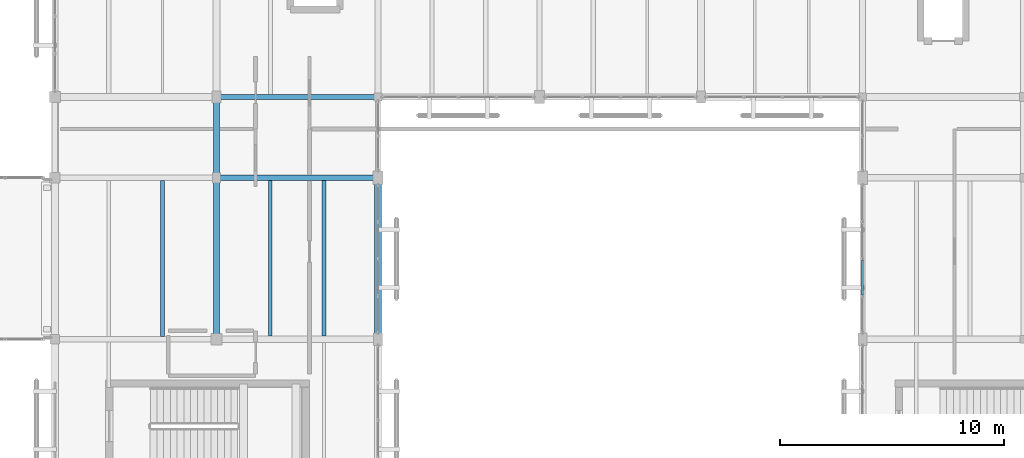
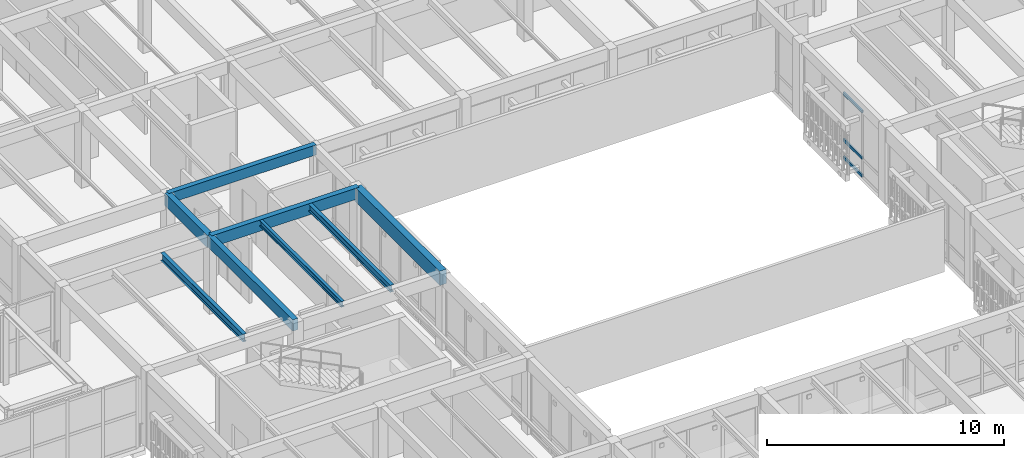
# One storey, part 150 of 217: 8 beams, 3 members, 1 element without a shape of its own.
"""IFC4 building model written with IfcOpenShell, lengths in metres."""

from ifc_helpers import new_model, si_unit, direction, frame, origin, origin_2d, place, context, subcontext, project, spatial, rectangle, hollow_rectangle, i_section, extrude, material, layer, layer_set, material_profile, profile_set, type_object, element, aggregate, save


model = new_model("IFC4")

# Units and contexts
model_context = context("Model", 3, precision=1e-05, world=origin(), true_north=direction((0.0, 1.0)))
body_context = subcontext(model_context, "Body", "Model", "MODEL_VIEW")
ifc_project = project(units=[si_unit("LENGTHUNIT", "METRE"), si_unit("AREAUNIT", "SQUARE_METRE"), si_unit("VOLUMEUNIT", "CUBIC_METRE"), si_unit("PLANEANGLEUNIT", "RADIAN"), si_unit("MASSUNIT", "GRAM", prefix="KILO")], contexts=[model_context])

# Site, building, storey
site_placement = place(None, origin())
site = spatial("IfcSite", under=ifc_project, at=site_placement, CompositionType="ELEMENT")
building_placement = place(site_placement, origin())
building = spatial("IfcBuilding", under=site, at=building_placement, Name="Mazaris Harbour Polytechnic", CompositionType="ELEMENT")
storey_placement = place(building_placement, frame((0.0, 0.0, 9.60009765625)))
storey = spatial("IfcBuildingStorey", under=building, at=storey_placement, Name="L02", CompositionType="ELEMENT", Elevation=9.60009765625)

# Curtain wall, members
ifc_material_1 = material(Name="Anodised Bronze Aluminium and Low-E Glass", Category="aluminium")
ifc_layer = layer(ifc_material_1, 0.169921875, Name="Anodised Bronze Aluminium and Low-E Glass")
ifc_layer_set = layer_set([ifc_layer], Name="Anodised Bronze Aluminium and Low-E Glass")
curtain_wall_type = type_object("IfcCurtainWallType", Name="Studio North-Light Curtain Wall", PredefinedType="NOTDEFINED", material=ifc_layer_set)
curtain_wall_placement = place(storey_placement, origin())
curtain_wall = element("IfcCurtainWall", 1, at=curtain_wall_placement, inside=storey, type_object=curtain_wall_type, Name="V5 L02 Curtain Wall 247", PredefinedType="NOTDEFINED")
ifc_material_2 = material(Name="Anodised Bronze Steel S355", Category="steel")
ifc_material_profile_1 = material_profile(ifc_material_2, hollow_rectangle(XDim=0.080078125, YDim=0.139892578125, WallThickness=0.00634765625, at=origin_2d()), Name="RHS 80x140x6.3")
ifc_profile_set_1 = profile_set([ifc_material_profile_1], Name="Anodised Bronze Steel S355")
member_type = type_object("IfcMemberType", Name="Curtain Transom RHS80x140", PredefinedType="USERDEFINED", material=ifc_profile_set_1)
member_1_placement = place(storey_placement, frame((158.39990234375, 79.14501953125, 0.039794921875), z_axis=(0.0, -1.0, 0.0), x_axis=(1.0, 0.0, 0.0)))
member_1 = element("IfcMember", 2, at=member_1_placement, type_object=member_type, Name="CW-03 transom 3.1", ObjectType="TRANSOM", PredefinedType="USERDEFINED", context=body_context, shape_type="SweptSolid", body=[
    extrude(hollow_rectangle(XDim=0.080078125, YDim=0.139892578125, WallThickness=0.00634765625, at=origin_2d()), origin(), (0.0, 0.0, 1.0), 1.58154296875),
])
member_2_placement = place(storey_placement, frame((158.39990234375, 79.14501953125, 0.949951171875), z_axis=(0.0, -1.0, 0.0), x_axis=(1.0, 0.0, 0.0)))
member_2 = element("IfcMember", 3, at=member_2_placement, type_object=member_type, Name="CW-03 transom 3.2", ObjectType="TRANSOM", PredefinedType="USERDEFINED", context=body_context, shape_type="SweptSolid", body=[
    extrude(hollow_rectangle(XDim=0.080078125, YDim=0.139892578125, WallThickness=0.00634765625, at=origin_2d()), origin(), (0.0, 0.0, 1.0), 1.58154296875),
])
member_3_placement = place(storey_placement, frame((158.39990234375, 79.14501953125, 3.349853515625), z_axis=(0.0, -1.0, 0.0), x_axis=(1.0, 0.0, 0.0)))
member_3 = element("IfcMember", 4, at=member_3_placement, type_object=member_type, Name="CW-03 transom 3.3", ObjectType="TRANSOM", PredefinedType="USERDEFINED", context=body_context, shape_type="SweptSolid", body=[
    extrude(hollow_rectangle(XDim=0.080078125, YDim=0.139892578125, WallThickness=0.00634765625, at=origin_2d()), origin(), (0.0, 0.0, 1.0), 1.58154296875),
])
aggregate(curtain_wall, [member_1, member_2, member_3])

# Beams
ifc_material_3 = material(Name="Glulam GL32h", Category="wood")
ifc_material_profile_2 = material_profile(ifc_material_3, rectangle(XDim=0.239990234375, YDim=0.52001953125, at=origin_2d()), Name="RECT240x520")
ifc_profile_set_2 = profile_set([ifc_material_profile_2], Name="Glulam GL32h")
beam_type_1 = type_object("IfcBeamType", Name="Glulam Girder 240x520", PredefinedType="BEAM", material=ifc_profile_set_2)
beam_1_placement = place(storey_placement, frame((129.60009765625, 86.39990234375, 3.659912109375), z_axis=(1.0, 0.0, 0.0), x_axis=(0.0, 1.0, 0.0)))
element("IfcBeam", 5, at=beam_1_placement, inside=storey, type_object=beam_type_1, Name="V5 L02 Girder 3150", PredefinedType="BEAM", context=body_context, shape_type="SweptSolid", body=[
    extrude(rectangle(XDim=0.239990234375, YDim=0.52001953125, at=origin_2d()), origin(), (0.0, 0.0, 1.0), 7.199951171875),
])
ifc_material_4 = material(Name="Glulam GL32h", Category="wood")
ifc_material_profile_3 = material_profile(ifc_material_4, rectangle(XDim=0.260009765625, YDim=0.580078125, at=origin_2d()), Name="RECT260x580")
ifc_profile_set_3 = profile_set([ifc_material_profile_3], Name="Glulam GL32h")
beam_type_2 = type_object("IfcBeamType", Name="Glulam Girder 260x580", PredefinedType="BEAM", material=ifc_profile_set_3)
for number, where, z_axis, x_axis, name in (
    (6, (129.60009765625, 82.800048828125, 3.6298828125), (1.0, 0.0, 0.0), (0.0, 1.0, 0.0), "V5 L02 Girder 3146"),
    (7, (129.60009765625, 75.60009765625, 3.6298828125), (0.0, 1.0, 0.0), (-1.0, 0.0, 0.0), "V5 L02 Tie Girder 3181"),
):
    element("IfcBeam", number, at=place(storey_placement, frame(where, z_axis=z_axis, x_axis=x_axis)), inside=storey, type_object=beam_type_2, Name=name, PredefinedType="BEAM", context=body_context, shape_type="SweptSolid", body=[
        extrude(rectangle(XDim=0.260009765625, YDim=0.580078125, at=origin_2d()), origin(), (0.0, 0.0, 1.0), 7.199951171875),
    ])
ifc_material_5 = material(Name="Glulam GL32h", Category="wood")
ifc_material_profile_4 = material_profile(ifc_material_5, rectangle(XDim=0.280029296875, YDim=0.639892578125, at=origin_2d()), Name="RECT280x640")
ifc_profile_set_4 = profile_set([ifc_material_profile_4], Name="Glulam GL32h")
beam_type_3 = type_object("IfcBeamType", Name="Glulam Girder 280x640", PredefinedType="BEAM", material=ifc_profile_set_4)
beam_2_placement = place(storey_placement, frame((129.60009765625, 82.800048828125, 3.599853515625), z_axis=(0.0, 1.0, 0.0), x_axis=(-1.0, 0.0, 0.0)))
element("IfcBeam", 8, at=beam_2_placement, inside=storey, type_object=beam_type_3, Name="V5 L02 Tie Girder 3182", PredefinedType="BEAM", context=body_context, shape_type="SweptSolid", body=[
    extrude(rectangle(XDim=0.280029296875, YDim=0.639892578125, at=origin_2d()), origin(), (0.0, 0.0, 1.0), 3.599853515625),
])
ifc_material_6 = material(Name="Glulam GL32h", Category="wood")
ifc_material_profile_5 = material_profile(ifc_material_6, rectangle(XDim=0.320068359375, YDim=0.739990234375, at=origin_2d()), Name="RECT320x740")
ifc_profile_set_5 = profile_set([ifc_material_profile_5], Name="Glulam GL32h")
beam_type_4 = type_object("IfcBeamType", Name="Glulam Girder 320x740", PredefinedType="BEAM", material=ifc_profile_set_5)
beam_3_placement = place(storey_placement, frame((136.800048828125, 75.60009765625, 3.5498046875), z_axis=(0.0, 1.0, 0.0), x_axis=(-1.0, 0.0, 0.0)))
element("IfcBeam", 9, at=beam_3_placement, inside=storey, type_object=beam_type_4, Name="V5 L02 Tie Girder 3189", PredefinedType="BEAM", context=body_context, shape_type="SweptSolid", body=[
    extrude(rectangle(XDim=0.320068359375, YDim=0.739990234375, at=origin_2d()), origin(), (0.0, 0.0, 1.0), 7.199951171875),
])
ifc_material_7 = material(Name="Steel S355", Category="steel")
ifc_material_profile_6 = material_profile(ifc_material_7, i_section(OverallWidth=0.14990234375, OverallDepth=0.300048828125, WebThickness=0.007080078125, FlangeThickness=0.0107421875, FilletRadius=0.014892578125, at=origin_2d()), Name="IPE 300")
ifc_profile_set_6 = profile_set([ifc_material_profile_6], Name="Steel S355")
beam_type_5 = type_object("IfcBeamType", Name="Steel Joist IPE300", PredefinedType="JOIST", material=ifc_profile_set_6)
beam_4_placement = place(storey_placement, frame((132.0, 75.739990234375, 3.77001953125), z_axis=(0.0, 1.0, 0.0), x_axis=(-1.0, 0.0, 0.0)))
element("IfcBeam", 10, at=beam_4_placement, inside=storey, type_object=beam_type_5, Name="V5 L02 Floor Joist 3244", PredefinedType="JOIST", context=body_context, shape_type="SweptSolid", body=[
    extrude(i_section(OverallWidth=0.14990234375, OverallDepth=0.300048828125, WebThickness=0.007080078125, FlangeThickness=0.0107421875, FilletRadius=0.014892578125, at=origin_2d()), origin(), (0.0, 0.0, 1.0), 6.929931640625),
])
ifc_material_8 = material(Name="Steel S355", Category="steel")
ifc_material_profile_7 = material_profile(ifc_material_8, i_section(OverallWidth=0.169921875, OverallDepth=0.360107421875, WebThickness=0.008056640625, FlangeThickness=0.0126953125, FilletRadius=0.01806640625, at=origin_2d()), Name="IPE 360")
ifc_profile_set_7 = profile_set([ifc_material_profile_7], Name="Steel S355")
beam_type_6 = type_object("IfcBeamType", Name="Steel Joist IPE360", PredefinedType="JOIST", material=ifc_profile_set_7)
beam_5_placement = place(storey_placement, frame((134.39990234375, 75.739990234375, 3.739990234375), z_axis=(0.0, 1.0, 0.0), x_axis=(-1.0, 0.0, 0.0)))
element("IfcBeam", 11, at=beam_5_placement, inside=storey, type_object=beam_type_6, Name="V5 L02 Floor Joist 3245", PredefinedType="JOIST", context=body_context, shape_type="SweptSolid", body=[
    extrude(i_section(OverallWidth=0.169921875, OverallDepth=0.360107421875, WebThickness=0.008056640625, FlangeThickness=0.0126953125, FilletRadius=0.01806640625, at=origin_2d()), origin(), (0.0, 0.0, 1.0), 6.929931640625),
])
ifc_material_9 = material(Name="Steel S355", Category="steel")
ifc_material_profile_8 = material_profile(ifc_material_9, i_section(OverallWidth=0.179931640625, OverallDepth=0.39990234375, WebThickness=0.008544921875, FlangeThickness=0.013427734375, FilletRadius=0.02099609375, at=origin_2d()), Name="IPE 400")
ifc_profile_set_8 = profile_set([ifc_material_profile_8], Name="Steel S355")
beam_type_7 = type_object("IfcBeamType", Name="Steel Joist IPE400", PredefinedType="JOIST", material=ifc_profile_set_8)
beam_6_placement = place(storey_placement, frame((127.199951171875, 75.72998046875, 3.719970703125), z_axis=(0.0, 1.0, 0.0), x_axis=(-1.0, 0.0, 0.0)))
element("IfcBeam", 12, at=beam_6_placement, inside=storey, type_object=beam_type_7, Name="V5 L02 Floor Joist 3232", PredefinedType="JOIST", context=body_context, shape_type="SweptSolid", body=[
    extrude(i_section(OverallWidth=0.179931640625, OverallDepth=0.39990234375, WebThickness=0.008544921875, FlangeThickness=0.013427734375, FilletRadius=0.02099609375, at=origin_2d()), origin(), (0.0, 0.0, 1.0), 6.949951171875),
])

save(model, "model.ifc")
